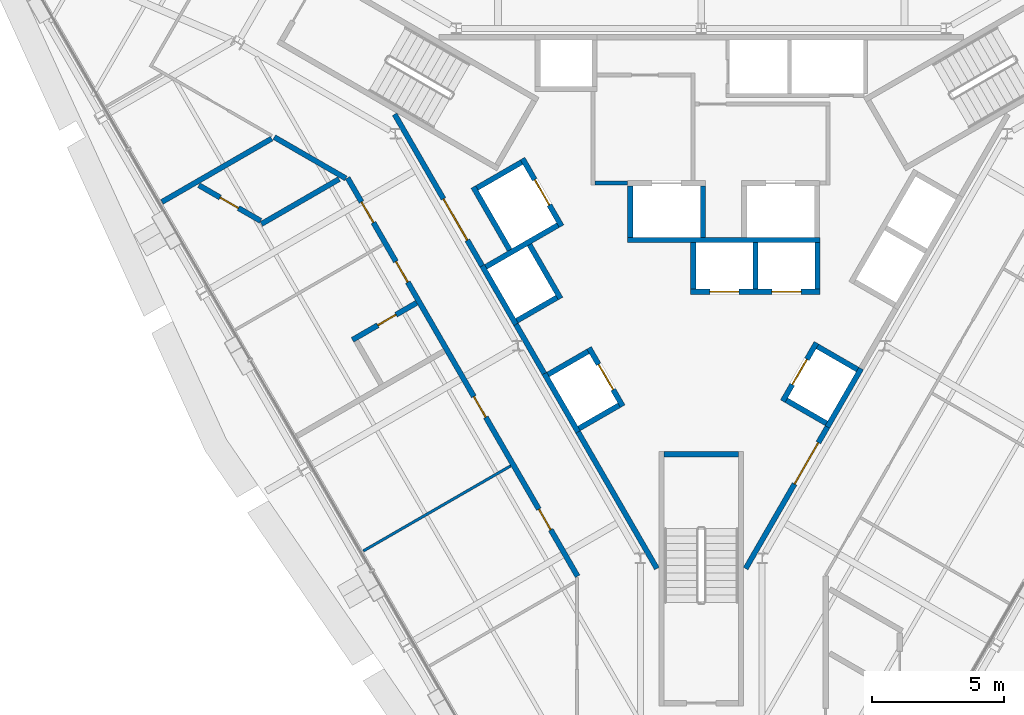
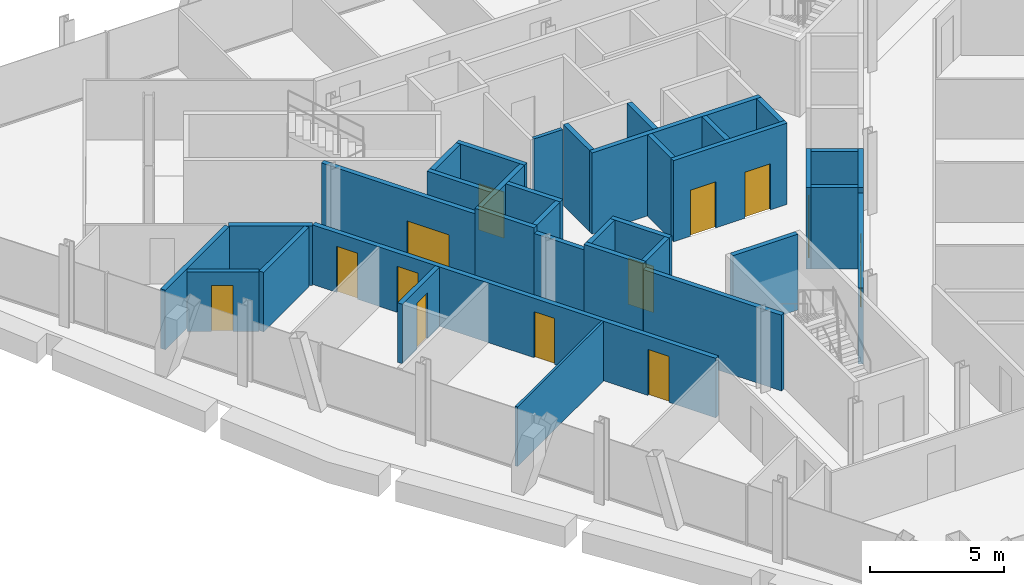
# One storey, part 8 of 13: 35 walls, 13 doors, 13 openings.
"""IFC4 building model written with IfcOpenShell, lengths in metres."""

import ifcopenshell
import ifcopenshell.guid

model = None  # the IFC model being written
_history = None  # IfcOwnerHistory: only IFC2X3 demands one
_inside = {}  # id of a spatial element -> (the spatial element, [elements in it])
_under = {}  # id of a project, library or spatial element -> (it, [spatial elements below it])
_declared = {}  # id of a project -> (the project, [libraries it declares])
_typed = {}  # id of a type object -> (the type object, [elements of that type])
_made_of = {}  # id of a material, layer set ... -> (it, [elements and type objects made of it])


def new_model(schema):
    """Start an empty IFC model of exactly this schema.

    Asked for "IFC4X3", IfcOpenShell would pick the latest addendum, in which some entities
    have other attributes; the version numbers below select the first issue.
    IFC2X3 requires an IfcOwnerHistory on every rooted entity: one is made here for all.
    """
    global model, _history
    if schema == "IFC4X3":
        model = ifcopenshell.file(schema_version=(4, 3, 0, 0))
    else:
        model = ifcopenshell.file(schema=schema)
    _inside.clear()
    _under.clear()
    _declared.clear()
    _typed.clear()
    _made_of.clear()
    _history = None
    if model.schema == "IFC2X3":
        org = make("IfcOrganization", Name="unknown")
        user = make(
            "IfcPersonAndOrganization",
            ThePerson=make("IfcPerson", FamilyName="unknown"),
            TheOrganization=org,
        )
        app = make(
            "IfcApplication",
            ApplicationDeveloper=org,
            Version="unknown",
            ApplicationFullName="unknown",
            ApplicationIdentifier="unknown",
        )
        _history = make(
            "IfcOwnerHistory",
            OwningUser=user,
            OwningApplication=app,
            ChangeAction="ADDED",
            CreationDate=0,
        )
    return model


def make(cls, **values):
    """One entity of the class cls with the attributes given. An attribute that is None is left unset."""
    return model.create_entity(
        cls, **{name: value for name, value in values.items() if value is not None}
    )


def rooted(cls, **values):
    """An entity with a GlobalId (a new one), such as an element, a storey or a relation."""
    return make(cls, GlobalId=ifcopenshell.guid.new(), OwnerHistory=_history, **values)


def si_unit(unit_type, name, prefix=None):
    """IfcSIUnit, for example si_unit("LENGTHUNIT", "METRE", prefix="MILLI")."""
    return make("IfcSIUnit", UnitType=unit_type, Prefix=prefix, Name=name)


def assignment(units):
    """IfcUnitAssignment: the units of a project."""
    return None if units is None else make("IfcUnitAssignment", Units=units)


def point(xyz):
    """IfcCartesianPoint."""
    return None if xyz is None else make("IfcCartesianPoint", Coordinates=xyz)


def direction(xyz):
    """IfcDirection."""
    return None if xyz is None else make("IfcDirection", DirectionRatios=xyz)


def frame(location, z_axis=None, x_axis=None):
    """IfcAxis2Placement3D, a coordinate frame: its origin and axes. An axis left out is left unset."""
    return make(
        "IfcAxis2Placement3D",
        Location=point(location),
        Axis=direction(z_axis),
        RefDirection=direction(x_axis),
    )


def frame_2d(location, x_axis=None):
    """IfcAxis2Placement2D, a coordinate frame in the plane: its origin and x axis."""
    return make(
        "IfcAxis2Placement2D", Location=point(location), RefDirection=direction(x_axis)
    )


def origin():
    """The frame at (0, 0, 0) with its axes left unset."""
    return frame((0.0, 0.0, 0.0))


def place(relative_to, where):
    """IfcLocalPlacement: puts the frame where relative to a parent placement (None: the world)."""
    return make(
        "IfcLocalPlacement", PlacementRelTo=relative_to, RelativePlacement=where
    )


def context(
    kind, dimensions, precision=None, world=None, true_north=None, identifier=None
):
    """IfcGeometricRepresentationContext, for example the 3D "Model" context."""
    return make(
        "IfcGeometricRepresentationContext",
        ContextIdentifier=identifier,
        ContextType=kind,
        CoordinateSpaceDimension=dimensions,
        Precision=precision,
        WorldCoordinateSystem=world,
        TrueNorth=true_north,
    )


def subcontext(parent, identifier, kind, view, scale=None):
    """IfcGeometricRepresentationSubContext, for example "Body" below "Model"."""
    return make(
        "IfcGeometricRepresentationSubContext",
        ContextIdentifier=identifier,
        ContextType=kind,
        ParentContext=parent,
        TargetScale=scale,
        TargetView=view,
    )


def project(units=None, contexts=None):
    """IfcProject with its units and contexts."""
    return rooted(
        "IfcProject",
        Name="project",
        RepresentationContexts=contexts,
        UnitsInContext=assignment(units),
    )


def spatial(cls, under=None, at=None, **own):
    """A site, building, storey or space (cls), placed at a placement, below another one or the project."""
    s = rooted(cls, ObjectPlacement=at, **own)
    if under is not None:
        _under.setdefault(under.id(), (under, []))[1].append(s)
    return s


def profile(cls, at=None, kind="AREA", **sizes):
    """A parametric profile (cls). Its sizes go by their IFC names, for example OverallWidth=200.0."""
    return make(cls, ProfileType=kind, Position=at, **sizes)


def rectangle(**sizes):
    """IfcRectangleProfileDef."""
    return profile("IfcRectangleProfileDef", **sizes)


def extrude(swept, where, along, depth):
    """IfcExtrudedAreaSolid: the profile swept, set in the frame where, extruded along a direction by depth."""
    return make(
        "IfcExtrudedAreaSolid",
        SweptArea=swept,
        Position=where,
        ExtrudedDirection=direction(along),
        Depth=depth,
    )


def shape(context_of_items, identifier, shape_type, items):
    """IfcShapeRepresentation: the items that make up one representation, for example the "Body"."""
    return make(
        "IfcShapeRepresentation",
        ContextOfItems=context_of_items,
        RepresentationIdentifier=identifier,
        RepresentationType=shape_type,
        Items=items,
    )


def material(Name=None, Category=None):
    """IfcMaterial."""
    return make("IfcMaterial", Name=Name, Category=Category)


def layer(
    of_material, thickness, ventilated=None, Name=None, Category=None, Priority=None
):
    """IfcMaterialLayer: one layer of a wall or slab, of a material (None: an air gap)."""
    return make(
        "IfcMaterialLayer",
        Material=of_material,
        LayerThickness=thickness,
        IsVentilated=ventilated,
        Name=Name,
        Category=Category,
        Priority=Priority,
    )


def layer_set(layers, Name=None):
    """IfcMaterialLayerSet."""
    return make("IfcMaterialLayerSet", MaterialLayers=layers, LayerSetName=Name)


def made_of(thing, what):
    """Note that an element or type object is made of a material, layer set ...; save() writes the relation."""
    if what is not None:
        _made_of.setdefault(what.id(), (what, []))[1].append(thing)
    return thing


def type_object(cls, material=None, **own):
    """A type object (cls), such as IfcWallType, which elements share."""
    return made_of(rooted(cls, **own), material)


def element(
    cls,
    number,
    at=None,
    inside=None,
    cuts=None,
    type_object=None,
    material=None,
    context=None,
    identifier="Body",
    shape_type=None,
    held_by="IfcProductDefinitionShape",
    body=None,
    shapes=None,
    **own,
):
    """One element of the class cls, such as IfcWall. Its Tag is "e" and its number.

    at: its placement. inside: the storey or other place that contains it. cuts: it is an
    opening in that element (IfcRelVoidsElement). A single representation is given by context,
    identifier, shape_type and body (its items); several are given by shapes. held_by: the class
    of the entity that holds the representations. save() writes the other relations.
    """
    e = rooted(cls, Tag="e%d" % number, ObjectPlacement=at, **own)
    if body is not None:
        shapes = [shape(context, identifier, shape_type, body)]
    if shapes is not None:
        e.Representation = make(held_by, Representations=shapes)
    if inside is not None:
        _inside.setdefault(inside.id(), (inside, []))[1].append(e)
    if cuts is not None:
        rooted(
            "IfcRelVoidsElement", RelatingBuildingElement=cuts, RelatedOpeningElement=e
        )
    if type_object is not None:
        _typed.setdefault(type_object.id(), (type_object, []))[1].append(e)
    return made_of(e, material)


def fill(opening, filler):
    """IfcRelFillsElement: the door or window that sits in an opening."""
    return rooted(
        "IfcRelFillsElement",
        RelatingOpeningElement=opening,
        RelatedBuildingElement=filler,
    )


def aggregate(whole, parts):
    """IfcRelAggregates: a whole, such as a stair, and the parts it consists of."""
    return rooted("IfcRelAggregates", RelatingObject=whole, RelatedObjects=parts)


def save(model, path):
    """Write the relations noted so far, then the file.

    IfcRelAggregates (storeys below a building ...), IfcRelContainedInSpatialStructure (elements
    in a storey), IfcRelDefinesByType, IfcRelAssociatesMaterial and IfcRelDeclares: one each for
    every whole, place, type object, material and project.
    """
    for whole, parts in _under.values():
        aggregate(whole, parts)
    for where, things in _inside.values():
        rooted(
            "IfcRelContainedInSpatialStructure",
            RelatedElements=things,
            RelatingStructure=where,
        )
    for kind, things in _typed.values():
        rooted("IfcRelDefinesByType", RelatedObjects=things, RelatingType=kind)
    for what, things in _made_of.values():
        rooted("IfcRelAssociatesMaterial", RelatedObjects=things, RelatingMaterial=what)
    for by, libraries in _declared.values():
        rooted("IfcRelDeclares", RelatingContext=by, RelatedDefinitions=libraries)
    model.write(path)


model = new_model("IFC4")

# Units and contexts
model_context = context("Model", 3, precision=1e-05, world=origin(), true_north=direction((0.0, 1.0)))
body_context = subcontext(model_context, "Body", "Model", "MODEL_VIEW")
ifc_project = project(units=[si_unit("LENGTHUNIT", "METRE"), si_unit("AREAUNIT", "SQUARE_METRE"), si_unit("VOLUMEUNIT", "CUBIC_METRE"), si_unit("PLANEANGLEUNIT", "RADIAN"), si_unit("MASSUNIT", "GRAM", prefix="KILO")], contexts=[model_context])

# Site, building, storey
site_placement = place(None, origin())
site = spatial("IfcSite", under=ifc_project, at=site_placement, CompositionType="ELEMENT")
building_placement = place(site_placement, origin())
building = spatial("IfcBuilding", under=site, at=building_placement, Name="Verrane Prism Tower", CompositionType="ELEMENT")
storey_placement = place(building_placement, frame((0.0, 0.0, 163.60009765625)))
storey = spatial("IfcBuildingStorey", under=building, at=storey_placement, Name="L40", CompositionType="ELEMENT", Elevation=163.60009765625)

# Wall, opening, door
ifc_material_1 = material(Name="Gypsum board partition", Category="other")
ifc_layer_1 = layer(ifc_material_1, 0.199951171875)
ifc_layer_set_1 = layer_set([ifc_layer_1], Name="CW-200 core boundary wall 2 h")
wall_type_1 = type_object("IfcWallType", Name="CW-200 core boundary wall 2 h", PredefinedType="PARTITIONING", material=ifc_layer_set_1)
wall_1_placement = place(storey_placement, frame((-11.590576171875, 4.7548828125, 0.0), z_axis=(0.0, 0.0, 1.0), x_axis=(0.500043977787, -0.866000011708, 0.0)))
wall_1 = element("IfcWall", 1, at=wall_1_placement, inside=storey, type_object=wall_type_1, Name="Core boundary wall CW3-001", PredefinedType="PARTITIONING", context=body_context, shape_type="SweptSolid", body=[
    extrude(rectangle(XDim=6.61669921875, YDim=0.199951171875, at=frame_2d((3.308349609375, 0.0))), origin(), (0.0, 0.0, 1.0), 3.449951171875),
])
opening_1_placement = place(wall_1_placement, frame((3.695068359375, 0.0, 0.0)))
opening_1 = element("IfcOpeningElement", 2, at=opening_1_placement, cuts=wall_1, Name="Opening D39510", PredefinedType="OPENING", context=body_context, shape_type="SweptSolid", body=[
    extrude(rectangle(XDim=1.800048828125, YDim=2.10009765625, at=frame_2d((0.89990234375, 1.050048828125))), frame((0.0, 0.10986328125, 0.0), z_axis=(0.0, -1.0, 0.0), x_axis=(1.0, 0.0, 0.0)), (0.0, 0.0, 1.0), 0.219970703125),
])
ifc_material_2 = material(Name="Timber veneered door leaf", Category="wood")
door_type_1 = type_object("IfcDoorType", Name="DR-1800x2100 FD60 double leaf lift lobby", OperationType="NOTDEFINED", PredefinedType="DOOR", material=ifc_material_2)
door_1_placement = place(opening_1_placement, origin())
door_1 = element("IfcDoor", 3, at=door_1_placement, inside=storey, type_object=door_type_1, Name="Lift lobby door D39510", OperationType="DOUBLE_DOOR_SINGLE_SWING", OverallHeight=2.10009765625, OverallWidth=1.800048828125, PredefinedType="DOOR", context=body_context, shape_type="SweptSolid", body=[
    extrude(rectangle(XDim=1.800048828125, YDim=2.10009765625, at=frame_2d((0.89990234375, 1.050048828125))), frame((0.0, 0.02490234375, 0.0), z_axis=(0.0, -1.0, 0.0), x_axis=(1.0, 0.0, 0.0)), (0.0, 0.0, 1.0), 0.050048828125),
])
fill(opening_1, door_1)

# Walls
wall_2_placement = place(storey_placement, frame((-7.0048828125, -3.18701171875, 0.0), z_axis=(0.0, 0.0, 1.0), x_axis=(0.499689606989, -0.866204535123, 0.0)))
element("IfcWall", 4, at=wall_2_placement, inside=storey, type_object=wall_type_1, Name="Core boundary wall CW3-003", PredefinedType="PARTITIONING", context=body_context, shape_type="SweptSolid", body=[
    extrude(rectangle(XDim=2.144775390625, YDim=0.199951171875, at=frame_2d((1.072265625, 0.0))), origin(), (0.0, 0.0, 1.0), 3.449951171875),
])
wall_3_placement = place(storey_placement, frame((-4.655029296875, -7.257080078125, 0.0), z_axis=(0.0, 0.0, 1.0), x_axis=(0.499966124405, -0.866044960985, 0.0)))
element("IfcWall", 5, at=wall_3_placement, inside=storey, type_object=wall_type_1, Name="Core boundary wall CW3-004", PredefinedType="PARTITIONING", context=body_context, shape_type="SweptSolid", body=[
    extrude(rectangle(XDim=5.95556640625, YDim=0.199951171875, at=frame_2d((2.977783203125, 0.0))), origin(), (0.0, 0.0, 1.0), 3.449951171875),
])

# Wall, opening, door
wall_4_placement = place(storey_placement, frame((1.677490234375, -12.414794921875, 0.0), z_axis=(0.0, 0.0, 1.0), x_axis=(0.500054337157, 0.865994029939, 0.0)))
wall_4 = element("IfcWall", 6, at=wall_4_placement, inside=storey, type_object=wall_type_1, Name="Core boundary wall CW3-006", PredefinedType="PARTITIONING", context=body_context, shape_type="SweptSolid", body=[
    extrude(rectangle(XDim=6.176513671875, YDim=0.199951171875, at=frame_2d((3.08837890625, 0.0))), origin(), (0.0, 0.0, 1.0), 3.449951171875),
])
opening_2_placement = place(wall_4_placement, frame((3.695068359375, 0.0, 0.0)))
opening_2 = element("IfcOpeningElement", 7, at=opening_2_placement, cuts=wall_4, Name="Opening D39515", PredefinedType="OPENING", context=body_context, shape_type="SweptSolid", body=[
    extrude(rectangle(XDim=1.800048828125, YDim=2.10009765625, at=frame_2d((0.89990234375, 1.050048828125))), frame((0.0, 0.10986328125, 0.0), z_axis=(0.0, -1.0, 0.0), x_axis=(1.0, 0.0, 0.0)), (0.0, 0.0, 1.0), 0.219970703125),
])
door_2_placement = place(opening_2_placement, origin())
door_2 = element("IfcDoor", 8, at=door_2_placement, inside=storey, type_object=door_type_1, Name="Lift lobby door D39515", OperationType="DOUBLE_DOOR_SINGLE_SWING", OverallHeight=2.10009765625, OverallWidth=1.800048828125, PredefinedType="DOOR", context=body_context, shape_type="SweptSolid", body=[
    extrude(rectangle(XDim=1.800048828125, YDim=2.10009765625, at=frame_2d((0.89990234375, 1.050048828125))), frame((0.0, 0.02490234375, 0.0), z_axis=(0.0, -1.0, 0.0), x_axis=(1.0, 0.0, 0.0)), (0.0, 0.0, 1.0), 0.050048828125),
])
fill(opening_2, door_2)

# Wall
ifc_material_3 = material(Name="Concrete C40/50", Category="concrete")
ifc_layer_2 = layer(ifc_material_3, 0.199951171875)
ifc_layer_set_2 = layer_set([ifc_layer_2], Name="CW-200 stair core wall concrete C40/50 3 h")
wall_type_2 = type_object("IfcWallType", Name="CW-200 stair core wall concrete C40/50 3 h", PredefinedType="PARTITIONING", material=ifc_layer_set_2)
wall_5_placement = place(storey_placement, frame((-1.39990234375, -8.10009765625, 0.0), z_axis=(0.0, 0.0, 1.0), x_axis=(1.0, 0.0, 0.0)))
element("IfcWall", 9, at=wall_5_placement, inside=storey, type_object=wall_type_2, Name="Stair 3 enclosure wall", PredefinedType="PARTITIONING", context=body_context, shape_type="SweptSolid", body=[
    extrude(rectangle(XDim=2.7998046875, YDim=0.199951171875, at=frame_2d((1.39990234375, 0.0))), origin(), (0.0, 0.0, 1.0), 3.449951171875),
])

# Wall, openings, doors
ifc_material_4 = material(Name="Gypsum board shaft wall assembly", Category="other")
ifc_layer_3 = layer(ifc_material_4, 0.199951171875)
ifc_layer_set_3 = layer_set([ifc_layer_3], Name="HW-200 lift shaft wall 2 h")
wall_type_3 = type_object("IfcWallType", Name="HW-200 lift shaft wall 2 h", PredefinedType="PARTITIONING", material=ifc_layer_set_3)
wall_6_placement = place(storey_placement, frame((-0.405029296875, -1.949951171875, 0.0), z_axis=(0.0, 0.0, 1.0), x_axis=(1.0, 0.0, 0.0)))
wall_6 = element("IfcWall", 10, at=wall_6_placement, inside=storey, type_object=wall_type_3, Name="Lift shaft wall", PredefinedType="PARTITIONING", context=body_context, shape_type="SweptSolid", body=[
    extrude(rectangle(XDim=4.900146484375, YDim=0.199951171875, at=frame_2d((2.4501953125, 0.0))), origin(), (0.0, 0.0, 1.0), 3.699951171875),
])
opening_3_placement = place(wall_6_placement, frame((0.72509765625, 0.0, 0.0)))
opening_3 = element("IfcOpeningElement", 11, at=opening_3_placement, cuts=wall_6, Name="Opening D39503", PredefinedType="OPENING", context=body_context, shape_type="SweptSolid", body=[
    extrude(rectangle(XDim=1.10009765625, YDim=2.10009765625, at=frame_2d((0.550048828125, 1.050048828125))), frame((0.0, 0.10986328125, 0.0), z_axis=(0.0, -1.0, 0.0), x_axis=(1.0, 0.0, 0.0)), (0.0, 0.0, 1.0), 0.219970703125),
])
opening_4_placement = place(wall_6_placement, frame((3.074951171875, 0.0, 0.0)))
opening_4 = element("IfcOpeningElement", 12, at=opening_4_placement, cuts=wall_6, Name="Opening D39504", PredefinedType="OPENING", context=body_context, shape_type="SweptSolid", body=[
    extrude(rectangle(XDim=1.10009765625, YDim=2.10009765625, at=frame_2d((0.550048828125, 1.050048828125))), frame((0.0, 0.10986328125, 0.0), z_axis=(0.0, -1.0, 0.0), x_axis=(1.0, 0.0, 0.0)), (0.0, 0.0, 1.0), 0.219970703125),
])
ifc_material_5 = material(Name="Stainless steel sliding landing door", Category="steel")
door_type_2 = type_object("IfcDoorType", Name="LD-1100x2100 lift landing door FD90 sliding", OperationType="NOTDEFINED", PredefinedType="DOOR", material=ifc_material_5)
door_3_placement = place(opening_3_placement, origin())
door_3 = element("IfcDoor", 13, at=door_3_placement, inside=storey, type_object=door_type_2, Name="Bank B lift 1 landing door", OperationType="SLIDING_TO_LEFT", OverallHeight=2.10009765625, OverallWidth=1.10009765625, PredefinedType="DOOR", context=body_context, shape_type="SweptSolid", body=[
    extrude(rectangle(XDim=1.10009765625, YDim=2.10009765625, at=frame_2d((0.550048828125, 1.050048828125))), frame((0.0, 0.02490234375, 0.0), z_axis=(0.0, -1.0, 0.0), x_axis=(1.0, 0.0, 0.0)), (0.0, 0.0, 1.0), 0.050048828125),
])
fill(opening_3, door_3)
door_4_placement = place(opening_4_placement, origin())
door_4 = element("IfcDoor", 14, at=door_4_placement, inside=storey, type_object=door_type_2, Name="Bank B lift 2 landing door", OperationType="SLIDING_TO_RIGHT", OverallHeight=2.10009765625, OverallWidth=1.10009765625, PredefinedType="DOOR", context=body_context, shape_type="SweptSolid", body=[
    extrude(rectangle(XDim=1.10009765625, YDim=2.10009765625, at=frame_2d((0.550048828125, 1.050048828125))), frame((0.0, 0.02490234375, 0.0), z_axis=(0.0, -1.0, 0.0), x_axis=(1.0, 0.0, 0.0)), (0.0, 0.0, 1.0), 0.050048828125),
])
fill(opening_4, door_4)

# Walls
wall_7_placement = place(storey_placement, frame((-2.784912109375, 0.0, 0.0), z_axis=(0.0, 0.0, 1.0), x_axis=(1.0, 0.0, 0.0)))
element("IfcWall", 15, at=wall_7_placement, inside=storey, type_object=wall_type_3, Name="Lift shaft wall", PredefinedType="PARTITIONING", context=body_context, shape_type="SweptSolid", body=[
    extrude(rectangle(XDim=7.280029296875, YDim=0.199951171875, at=frame_2d((3.64013671875, 0.0))), origin(), (0.0, 0.0, 1.0), 3.699951171875),
])
for number, where, z_axis, x_axis, name in (
    (16, (-4.61962890625, -7.118408203125, 0.0), (0.0, 0.0, 1.0), (0.866036909293, 0.499980071345, 0.0), "Lift shaft wall"),
    (17, (-5.794677734375, -5.083251953125, 0.0), (0.0, 0.0, 1.0), (0.866036909293, 0.499980071345, 0.0), "Lift shaft wall"),
    (18, (-6.9697265625, -3.048095703125, 0.0), (0.0, 0.0, 1.0), (0.866036909293, 0.499980071345, 0.0), "Lift shaft wall"),
):
    element("IfcWall", number, at=place(storey_placement, frame(where, z_axis=z_axis, x_axis=x_axis)), inside=storey, type_object=wall_type_3, Name=name, PredefinedType="PARTITIONING", context=body_context, shape_type="SweptSolid", body=[
        extrude(rectangle(XDim=1.75, YDim=0.199951171875, at=frame_2d((0.875, 0.0))), origin(), (0.0, 0.0, 1.0), 3.699951171875),
    ])
wall_8_placement = place(storey_placement, frame((-8.14453125, -1.012939453125, 0.0), z_axis=(0.0, 0.0, 1.0), x_axis=(0.866016494683, 0.500015430699, 0.0)))
element("IfcWall", 19, at=wall_8_placement, inside=storey, type_object=wall_type_3, Name="Lift shaft wall", PredefinedType="PARTITIONING", context=body_context, shape_type="SweptSolid", body=[
    extrude(rectangle(XDim=3.14990234375, YDim=0.199951171875, at=frame_2d((1.574951171875, 0.0))), origin(), (0.0, 0.0, 1.0), 3.699951171875),
])
wall_9_placement = place(storey_placement, frame((-8.48046875, 1.968505859375, 0.0), z_axis=(0.0, 0.0, 1.0), x_axis=(0.866000020948, 0.500043961785, 0.0)))
element("IfcWall", 20, at=wall_9_placement, inside=storey, type_object=wall_type_3, Name="Lift shaft wall", PredefinedType="PARTITIONING", context=body_context, shape_type="SweptSolid", body=[
    extrude(rectangle(XDim=1.949951171875, YDim=0.199951171875, at=frame_2d((0.97509765625, 0.0))), origin(), (0.0, 0.0, 1.0), 3.699951171875),
])
wall_10_placement = place(storey_placement, frame((4.766357421875, -7.064697265625, 0.0), z_axis=(0.0, 0.0, 1.0), x_axis=(0.499948979701, 0.866054858364, 0.0)))
element("IfcWall", 21, at=wall_10_placement, inside=storey, type_object=wall_type_3, Name="Lift shaft wall", PredefinedType="PARTITIONING", context=body_context, shape_type="SweptSolid", body=[
    extrude(rectangle(XDim=2.550048828125, YDim=0.199951171875, at=frame_2d((1.27490234375, 0.0))), origin(), (0.0, 0.0, 1.0), 3.699951171875),
])

# Wall, opening, door
wall_11_placement = place(storey_placement, frame((3.077392578125, -6.089599609375, 0.0), z_axis=(0.0, 0.0, 1.0), x_axis=(0.500062241894, 0.865989465428, 0.0)))
wall_11 = element("IfcWall", 22, at=wall_11_placement, inside=storey, type_object=wall_type_3, Name="Lift shaft wall", PredefinedType="PARTITIONING", context=body_context, shape_type="SweptSolid", body=[
    extrude(rectangle(XDim=2.550048828125, YDim=0.199951171875, at=frame_2d((1.27490234375, 0.0))), origin(), (0.0, 0.0, 1.0), 3.699951171875),
])
opening_5_placement = place(wall_11_placement, frame((0.72509765625, 0.0, 0.0)))
opening_5 = element("IfcOpeningElement", 23, at=opening_5_placement, cuts=wall_11, Name="Opening D39505", PredefinedType="OPENING", context=body_context, shape_type="SweptSolid", body=[
    extrude(rectangle(XDim=1.10009765625, YDim=2.10009765625, at=frame_2d((0.550048828125, 1.050048828125))), frame((0.0, 0.10986328125, 0.0), z_axis=(0.0, -1.0, 0.0), x_axis=(1.0, 0.0, 0.0)), (0.0, 0.0, 1.0), 0.219970703125),
])
door_5_placement = place(opening_5_placement, origin())
door_5 = element("IfcDoor", 24, at=door_5_placement, inside=storey, type_object=door_type_2, Name="Bank B lift 3 landing door", OperationType="SLIDING_TO_LEFT", OverallHeight=2.10009765625, OverallWidth=1.10009765625, PredefinedType="DOOR", context=body_context, shape_type="SweptSolid", body=[
    extrude(rectangle(XDim=1.10009765625, YDim=2.10009765625, at=frame_2d((0.550048828125, 1.050048828125))), frame((0.0, 0.02490234375, 0.0), z_axis=(0.0, -1.0, 0.0), x_axis=(1.0, 0.0, 0.0)), (0.0, 0.0, 1.0), 0.050048828125),
])
fill(opening_5, door_5)

# Walls
for number, where, z_axis, x_axis, name in (
    (25, (4.39501953125, -1.85009765625, 0.0), (0.0, 0.0, 1.0), (0.0, 1.0, 0.0), "Lift shaft wall"),
    (26, (2.044921875, -1.85009765625, 0.0), (0.0, 0.0, 1.0), (0.0, 1.0, 0.0), "Lift shaft wall"),
):
    element("IfcWall", number, at=place(storey_placement, frame(where, z_axis=z_axis, x_axis=x_axis)), inside=storey, type_object=wall_type_3, Name=name, PredefinedType="PARTITIONING", context=body_context, shape_type="SweptSolid", body=[
        extrude(rectangle(XDim=1.75, YDim=0.199951171875, at=frame_2d((0.875, 0.0))), origin(), (0.0, 0.0, 1.0), 3.699951171875),
    ])
wall_12_placement = place(storey_placement, frame((0.06494140625, 0.10009765625, 0.0), z_axis=(0.0, 0.0, 1.0), x_axis=(0.0, 1.0, 0.0)))
element("IfcWall", 27, at=wall_12_placement, inside=storey, type_object=wall_type_3, Name="Lift shaft wall", PredefinedType="PARTITIONING", context=body_context, shape_type="SweptSolid", body=[
    extrude(rectangle(XDim=1.949951171875, YDim=0.199951171875, at=frame_2d((0.97509765625, 0.0))), origin(), (0.0, 0.0, 1.0), 3.699951171875),
])
wall_13_placement = place(storey_placement, frame((-0.304931640625, -1.85009765625, 0.0), z_axis=(0.0, 0.0, 1.0), x_axis=(0.0, 1.0, 0.0)))
element("IfcWall", 28, at=wall_13_placement, inside=storey, type_object=wall_type_3, Name="Lift shaft wall", PredefinedType="PARTITIONING", context=body_context, shape_type="SweptSolid", body=[
    extrude(rectangle(XDim=1.75, YDim=0.199951171875, at=frame_2d((0.875, 0.0))), origin(), (0.0, 0.0, 1.0), 3.699951171875),
])
wall_14_placement = place(storey_placement, frame((-2.68505859375, 0.10009765625, 0.0), z_axis=(0.0, 0.0, 1.0), x_axis=(0.0, 1.0, 0.0)))
element("IfcWall", 29, at=wall_14_placement, inside=storey, type_object=wall_type_3, Name="Lift shaft wall", PredefinedType="PARTITIONING", context=body_context, shape_type="SweptSolid", body=[
    extrude(rectangle(XDim=1.949951171875, YDim=0.199951171875, at=frame_2d((0.97509765625, 0.0))), origin(), (0.0, 0.0, 1.0), 3.699951171875),
])

# Wall, opening, door
wall_15_placement = place(storey_placement, frame((-5.280029296875, 0.525390625, 0.0), z_axis=(0.0, 0.0, 1.0), x_axis=(-0.500037662692, 0.866003658127, 0.0)))
wall_15 = element("IfcWall", 30, at=wall_15_placement, inside=storey, type_object=wall_type_3, Name="Lift shaft wall", PredefinedType="PARTITIONING", context=body_context, shape_type="SweptSolid", body=[
    extrude(rectangle(XDim=2.949951171875, YDim=0.199951171875, at=frame_2d((1.47509765625, 0.0))), origin(), (0.0, 0.0, 1.0), 3.699951171875),
])
opening_6_placement = place(wall_15_placement, frame((0.925048828125, 0.0, 0.0)))
opening_6 = element("IfcOpeningElement", 31, at=opening_6_placement, cuts=wall_15, Name="Opening D39509", PredefinedType="OPENING", context=body_context, shape_type="SweptSolid", body=[
    extrude(rectangle(XDim=1.10009765625, YDim=2.10009765625, at=frame_2d((0.550048828125, 1.050048828125))), frame((0.0, 0.10986328125, 0.0), z_axis=(0.0, -1.0, 0.0), x_axis=(1.0, 0.0, 0.0)), (0.0, 0.0, 1.0), 0.219970703125),
])
door_6_placement = place(opening_6_placement, origin())
door_6 = element("IfcDoor", 32, at=door_6_placement, inside=storey, type_object=door_type_2, Name="Service lift 1 landing door", OperationType="SLIDING_TO_LEFT", OverallHeight=2.10009765625, OverallWidth=1.10009765625, PredefinedType="DOOR", context=body_context, shape_type="SweptSolid", body=[
    extrude(rectangle(XDim=1.10009765625, YDim=2.10009765625, at=frame_2d((0.550048828125, 1.050048828125))), frame((0.0, 0.02490234375, 0.0), z_axis=(0.0, -1.0, 0.0), x_axis=(1.0, 0.0, 0.0)), (0.0, 0.0, 1.0), 0.050048828125),
])
fill(opening_6, door_6)

wall_16_placement = place(storey_placement, frame((-2.967529296875, -6.280029296875, 0.0), z_axis=(0.0, 0.0, 1.0), x_axis=(-0.499990435942, 0.866030925526, 0.0)))
wall_16 = element("IfcWall", 33, at=wall_16_placement, inside=storey, type_object=wall_type_3, Name="Lift shaft wall", PredefinedType="PARTITIONING", context=body_context, shape_type="SweptSolid", body=[
    extrude(rectangle(XDim=2.5498046875, YDim=0.199951171875, at=frame_2d((1.27490234375, 0.0))), origin(), (0.0, 0.0, 1.0), 3.699951171875),
])
opening_7_placement = place(wall_16_placement, frame((0.72509765625, 0.0, 0.0)))
opening_7 = element("IfcOpeningElement", 34, at=opening_7_placement, cuts=wall_16, Name="Opening D39506", PredefinedType="OPENING", context=body_context, shape_type="SweptSolid", body=[
    extrude(rectangle(XDim=1.10009765625, YDim=2.10009765625, at=frame_2d((0.550048828125, 1.050048828125))), frame((0.0, 0.10986328125, 0.0), z_axis=(0.0, -1.0, 0.0), x_axis=(1.0, 0.0, 0.0)), (0.0, 0.0, 1.0), 0.219970703125),
])
door_7_placement = place(opening_7_placement, origin())
door_7 = element("IfcDoor", 35, at=door_7_placement, inside=storey, type_object=door_type_2, Name="Bank B lift 4 landing door", OperationType="SLIDING_TO_RIGHT", OverallHeight=2.10009765625, OverallWidth=1.10009765625, PredefinedType="DOOR", context=body_context, shape_type="SweptSolid", body=[
    extrude(rectangle(XDim=1.10009765625, YDim=2.10009765625, at=frame_2d((0.550048828125, 1.050048828125))), frame((0.0, 0.02490234375, 0.0), z_axis=(0.0, -1.0, 0.0), x_axis=(1.0, 0.0, 0.0)), (0.0, 0.0, 1.0), 0.050048828125),
])
fill(opening_7, door_7)

# Walls
wall_17_placement = place(storey_placement, frame((-5.317626953125, -2.209716796875, 0.0), z_axis=(0.0, 0.0, 1.0), x_axis=(-0.499938297808, 0.866061024631, 0.0)))
element("IfcWall", 36, at=wall_17_placement, inside=storey, type_object=wall_type_3, Name="Lift shaft wall", PredefinedType="PARTITIONING", context=body_context, shape_type="SweptSolid", body=[
    extrude(rectangle(XDim=2.349853515625, YDim=0.199951171875, at=frame_2d((1.1748046875, 0.0))), origin(), (0.0, 0.0, 1.0), 3.699951171875),
])
wall_18_placement = place(storey_placement, frame((-7.241943359375, -0.37646484375, 0.0), z_axis=(0.0, 0.0, 1.0), x_axis=(-0.499996545922, 0.866027397988, 0.0)))
element("IfcWall", 37, at=wall_18_placement, inside=storey, type_object=wall_type_3, Name="Lift shaft wall", PredefinedType="PARTITIONING", context=body_context, shape_type="SweptSolid", body=[
    extrude(rectangle(XDim=2.75, YDim=0.199951171875, at=frame_2d((1.375, 0.0))), origin(), (0.0, 0.0, 1.0), 3.699951171875),
])
for number, where, z_axis, x_axis, name in (
    (38, (-4.65625, -7.255126953125, 0.0), (0.0, 0.0, 1.0), (-0.499990435942, 0.866030925526, 0.0), "Lift shaft wall"),
    (39, (-7.00634765625, -3.184814453125, 0.0), (0.0, 0.0, 1.0), (-0.499990435942, 0.866030925526, 0.0), "Lift shaft wall"),
):
    element("IfcWall", number, at=place(storey_placement, frame(where, z_axis=z_axis, x_axis=x_axis)), inside=storey, type_object=wall_type_3, Name=name, PredefinedType="PARTITIONING", context=body_context, shape_type="SweptSolid", body=[
        extrude(rectangle(XDim=2.5498046875, YDim=0.199951171875, at=frame_2d((1.27490234375, 0.0))), origin(), (0.0, 0.0, 1.0), 3.699951171875),
    ])
wall_19_placement = place(storey_placement, frame((5.904541015625, -4.892822265625, 0.0), z_axis=(0.0, 0.0, 1.0), x_axis=(-0.866002029911, 0.500040482552, 0.0)))
element("IfcWall", 40, at=wall_19_placement, inside=storey, type_object=wall_type_3, Name="Lift shaft wall", PredefinedType="PARTITIONING", context=body_context, shape_type="SweptSolid", body=[
    extrude(rectangle(XDim=1.749755859375, YDim=0.199951171875, at=frame_2d((0.875, 0.0))), origin(), (0.0, 0.0, 1.0), 3.699951171875),
])
wall_20_placement = place(storey_placement, frame((4.729736328125, -6.927978515625, 0.0), z_axis=(0.0, 0.0, 1.0), x_axis=(-0.866036909293, 0.499980071345, 0.0)))
element("IfcWall", 41, at=wall_20_placement, inside=storey, type_object=wall_type_3, Name="Lift shaft wall", PredefinedType="PARTITIONING", context=body_context, shape_type="SweptSolid", body=[
    extrude(rectangle(XDim=1.75, YDim=0.199951171875, at=frame_2d((0.875, 0.0))), origin(), (0.0, 0.0, 1.0), 3.699951171875),
])
ifc_material_6 = material(Name="Gypsum board partition", Category="other")
ifc_layer_4 = layer(ifc_material_6, 0.14990234375)
ifc_layer_set_4 = layer_set([ifc_layer_4], Name="LF-150 firefighting lobby wall 1 h")
wall_type_4 = type_object("IfcWallType", Name="LF-150 firefighting lobby wall 1 h", PredefinedType="PARTITIONING", material=ifc_layer_set_4)
wall_21_placement = place(storey_placement, frame((-4.02490234375, 2.159912109375, 0.0), z_axis=(0.0, 0.0, 1.0), x_axis=(1.0, 0.0, 0.0)))
element("IfcWall", 42, at=wall_21_placement, inside=storey, type_object=wall_type_4, Name="Firefighting lobby wall LF1-002", PredefinedType="PARTITIONING", context=body_context, shape_type="SweptSolid", body=[
    extrude(rectangle(XDim=1.23779296875, YDim=0.14990234375, at=frame_2d((0.618896484375, 0.0))), origin(), (0.0, 0.0, 1.0), 3.449951171875),
])
ifc_material_7 = material(Name="Gypsum board partition", Category="other")
ifc_layer_5 = layer(ifc_material_7, 0.10009765625)
ifc_layer_set_5 = layer_set([ifc_layer_5], Name="PW-100 room partition")
wall_type_5 = type_object("IfcWallType", Name="PW-100 room partition", PredefinedType="PARTITIONING", material=ifc_layer_set_5)
wall_22_placement = place(storey_placement, frame((-12.771728515625, -11.7490234375, 0.0), z_axis=(0.0, 0.0, 1.0), x_axis=(0.866026229868, 0.499998569178, 0.0)))
element("IfcWall", 43, at=wall_22_placement, inside=storey, type_object=wall_type_5, Name="Room partition 014", PredefinedType="PARTITIONING", context=body_context, shape_type="SweptSolid", body=[
    extrude(rectangle(XDim=6.42919921875, YDim=0.10009765625, at=frame_2d((3.214599609375, 0.0))), origin(), (0.0, 0.0, 1.0), 2.712890625),
])
ifc_material_8 = material(Name="Gypsum board partition", Category="other")
ifc_layer_6 = layer(ifc_material_8, 0.199951171875)
ifc_layer_set_6 = layer_set([ifc_layer_6], Name="PW-200 plumbing wall")
wall_type_6 = type_object("IfcWallType", Name="PW-200 plumbing wall", PredefinedType="PARTITIONING", material=ifc_layer_set_6)
wall_23_placement = place(storey_placement, frame((-20.385498046875, 1.439208984375, 0.0), z_axis=(0.0, 0.0, 1.0), x_axis=(0.86607354268, 0.499916611716, 0.0)))
element("IfcWall", 44, at=wall_23_placement, inside=storey, type_object=wall_type_6, Name="Plumbing wall 004", PredefinedType="PARTITIONING", context=body_context, shape_type="SweptSolid", body=[
    extrude(rectangle(XDim=4.789306640625, YDim=0.199951171875, at=frame_2d((2.39453125, 0.0))), origin(), (0.0, 0.0, 1.0), 2.712890625),
])

# Wall, opening, door
wall_24_placement = place(storey_placement, frame((-18.988037109375, 2.072509765625, 0.0), z_axis=(0.0, 0.0, 1.0), x_axis=(0.866031650062, -0.499989180974, 0.0)))
wall_24 = element("IfcWall", 45, at=wall_24_placement, inside=storey, type_object=wall_type_6, Name="Plumbing wall 005", PredefinedType="PARTITIONING", context=body_context, shape_type="SweptSolid", body=[
    extrude(rectangle(XDim=2.69384765625, YDim=0.199951171875, at=frame_2d((1.346923828125, 0.0))), origin(), (0.0, 0.0, 1.0), 2.712890625),
])
opening_8_placement = place(wall_24_placement, frame((0.9267578125, 0.0, 0.0)))
opening_8 = element("IfcOpeningElement", 46, at=opening_8_placement, cuts=wall_24, Name="Opening D39019", PredefinedType="OPENING", context=body_context, shape_type="SweptSolid", body=[
    extrude(rectangle(XDim=0.800048828125, YDim=2.10009765625, at=frame_2d((0.39990234375, 1.050048828125))), frame((0.0, 0.10986328125, 0.0), z_axis=(0.0, -1.0, 0.0), x_axis=(1.0, 0.0, 0.0)), (0.0, 0.0, 1.0), 0.219970703125),
])
ifc_material_9 = material(Name="Timber veneered door leaf", Category="wood")
door_type_3 = type_object("IfcDoorType", Name="DR-800x2100 single leaf bath", OperationType="NOTDEFINED", PredefinedType="DOOR", material=ifc_material_9)
door_8_placement = place(opening_8_placement, origin())
door_8 = element("IfcDoor", 47, at=door_8_placement, inside=storey, type_object=door_type_3, Name="Master Bathroom door", OperationType="SINGLE_SWING_LEFT", OverallHeight=2.10009765625, OverallWidth=0.800048828125, PredefinedType="DOOR", context=body_context, shape_type="SweptSolid", body=[
    extrude(rectangle(XDim=0.800048828125, YDim=2.10009765625, at=frame_2d((0.39990234375, 1.050048828125))), frame((0.0, 0.02490234375, 0.0), z_axis=(0.0, -1.0, 0.0), x_axis=(1.0, 0.0, 0.0)), (0.0, 0.0, 1.0), 0.050048828125),
])
fill(opening_8, door_8)

# Walls
wall_25_placement = place(storey_placement, frame((-16.62451171875, 0.60791015625, 0.0), z_axis=(0.0, 0.0, 1.0), x_axis=(0.866005731893, 0.500034071167, 0.0)))
element("IfcWall", 48, at=wall_25_placement, inside=storey, type_object=wall_type_6, Name="Plumbing wall 007", PredefinedType="PARTITIONING", context=body_context, shape_type="SweptSolid", body=[
    extrude(rectangle(XDim=3.390869140625, YDim=0.199951171875, at=frame_2d((1.6953125, 0.0))), origin(), (0.0, 0.0, 1.0), 2.712890625),
])
wall_26_placement = place(storey_placement, frame((-16.137939453125, 3.89111328125, 0.0), z_axis=(0.0, 0.0, 1.0), x_axis=(0.866117881966, -0.49983978887, 0.0)))
element("IfcWall", 49, at=wall_26_placement, inside=storey, type_object=wall_type_6, Name="Plumbing wall 008", PredefinedType="PARTITIONING", context=body_context, shape_type="SweptSolid", body=[
    extrude(rectangle(XDim=3.1220703125, YDim=0.199951171875, at=frame_2d((1.56103515625, 0.0))), origin(), (0.0, 0.0, 1.0), 2.712890625),
])

# Wall, openings, doors
wall_27_placement = place(storey_placement, frame((-4.675048828125, -12.706298828125, 0.0), z_axis=(0.0, 0.0, 1.0), x_axis=(-0.499972470324, 0.866041297467, 0.0)))
wall_27 = element("IfcWall", 50, at=wall_27_placement, inside=storey, type_object=wall_type_6, Name="Plumbing wall 011", PredefinedType="PARTITIONING", context=body_context, shape_type="SweptSolid", body=[
    extrude(rectangle(XDim=17.384765625, YDim=0.199951171875, at=frame_2d((8.6923828125, 0.0))), origin(), (0.0, 0.0, 1.0), 2.712890625),
])
opening_9_placement = place(wall_27_placement, frame((15.434814453125, 0.0, 0.0)))
opening_9 = element("IfcOpeningElement", 51, at=opening_9_placement, cuts=wall_27, Name="Opening D39018", PredefinedType="OPENING", context=body_context, shape_type="SweptSolid", body=[
    extrude(rectangle(XDim=0.89990234375, YDim=2.10009765625, at=frame_2d((0.449951171875, 1.050048828125))), frame((0.0, 0.10986328125, 0.0), z_axis=(0.0, -1.0, 0.0), x_axis=(1.0, 0.0, 0.0)), (0.0, 0.0, 1.0), 0.219970703125),
])
opening_10_placement = place(wall_27_placement, frame((12.834716796875, 0.0, 0.0)))
opening_10 = element("IfcOpeningElement", 52, at=opening_10_placement, cuts=wall_27, Name="Opening D39020", PredefinedType="OPENING", context=body_context, shape_type="SweptSolid", body=[
    extrude(rectangle(XDim=0.89990234375, YDim=2.10009765625, at=frame_2d((0.449951171875, 1.050048828125))), frame((0.0, 0.10986328125, 0.0), z_axis=(0.0, -1.0, 0.0), x_axis=(1.0, 0.0, 0.0)), (0.0, 0.0, 1.0), 0.219970703125),
])
opening_11_placement = place(wall_27_placement, frame((6.940673828125, 0.0, 0.0)))
opening_11 = element("IfcOpeningElement", 53, at=opening_11_placement, cuts=wall_27, Name="Opening D39022", PredefinedType="OPENING", context=body_context, shape_type="SweptSolid", body=[
    extrude(rectangle(XDim=0.89990234375, YDim=2.10009765625, at=frame_2d((0.449951171875, 1.050048828125))), frame((0.0, 0.10986328125, 0.0), z_axis=(0.0, -1.0, 0.0), x_axis=(1.0, 0.0, 0.0)), (0.0, 0.0, 1.0), 0.219970703125),
])
opening_12_placement = place(wall_27_placement, frame((2.02783203125, 0.0, 0.0)))
opening_12 = element("IfcOpeningElement", 54, at=opening_12_placement, cuts=wall_27, Name="Opening D39023", PredefinedType="OPENING", context=body_context, shape_type="SweptSolid", body=[
    extrude(rectangle(XDim=0.89990234375, YDim=2.10009765625, at=frame_2d((0.449951171875, 1.050048828125))), frame((0.0, 0.10986328125, 0.0), z_axis=(0.0, -1.0, 0.0), x_axis=(1.0, 0.0, 0.0)), (0.0, 0.0, 1.0), 0.219970703125),
])
ifc_material_10 = material(Name="Timber veneered door leaf", Category="wood")
door_type_4 = type_object("IfcDoorType", Name="DR-900x2100 single leaf inner", OperationType="NOTDEFINED", PredefinedType="DOOR", material=ifc_material_10)
door_9_placement = place(opening_9_placement, origin())
door_9 = element("IfcDoor", 55, at=door_9_placement, inside=storey, type_object=door_type_4, Name="Master Bedroom door", OperationType="SINGLE_SWING_LEFT", OverallHeight=2.10009765625, OverallWidth=0.89990234375, PredefinedType="DOOR", context=body_context, shape_type="SweptSolid", body=[
    extrude(rectangle(XDim=0.89990234375, YDim=2.10009765625, at=frame_2d((0.449951171875, 1.050048828125))), frame((0.0, 0.02490234375, 0.0), z_axis=(0.0, -1.0, 0.0), x_axis=(1.0, 0.0, 0.0)), (0.0, 0.0, 1.0), 0.050048828125),
])
fill(opening_9, door_9)
door_10_placement = place(opening_10_placement, origin())
door_10 = element("IfcDoor", 56, at=door_10_placement, inside=storey, type_object=door_type_4, Name="Bedroom door", OperationType="SINGLE_SWING_LEFT", OverallHeight=2.10009765625, OverallWidth=0.89990234375, PredefinedType="DOOR", context=body_context, shape_type="SweptSolid", body=[
    extrude(rectangle(XDim=0.89990234375, YDim=2.10009765625, at=frame_2d((0.449951171875, 1.050048828125))), frame((0.0, 0.02490234375, 0.0), z_axis=(0.0, -1.0, 0.0), x_axis=(1.0, 0.0, 0.0)), (0.0, 0.0, 1.0), 0.050048828125),
])
fill(opening_10, door_10)
ifc_material_11 = material(Name="Timber veneered door leaf", Category="wood")
door_type_5 = type_object("IfcDoorType", Name="DR-900x2100 single leaf unit", OperationType="NOTDEFINED", PredefinedType="DOOR", material=ifc_material_11)
door_11_placement = place(opening_11_placement, origin())
door_11 = element("IfcDoor", 57, at=door_11_placement, inside=storey, type_object=door_type_5, Name="Study door", OperationType="SINGLE_SWING_LEFT", OverallHeight=2.10009765625, OverallWidth=0.89990234375, PredefinedType="DOOR", context=body_context, shape_type="SweptSolid", body=[
    extrude(rectangle(XDim=0.89990234375, YDim=2.10009765625, at=frame_2d((0.449951171875, 1.050048828125))), frame((0.0, 0.02490234375, 0.0), z_axis=(0.0, -1.0, 0.0), x_axis=(1.0, 0.0, 0.0)), (0.0, 0.0, 1.0), 0.050048828125),
])
fill(opening_11, door_11)
door_12_placement = place(opening_12_placement, origin())
door_12 = element("IfcDoor", 58, at=door_12_placement, inside=storey, type_object=door_type_5, Name="Study door", OperationType="SINGLE_SWING_RIGHT", OverallHeight=2.10009765625, OverallWidth=0.89990234375, PredefinedType="DOOR", context=body_context, shape_type="SweptSolid", body=[
    extrude(rectangle(XDim=0.89990234375, YDim=2.10009765625, at=frame_2d((0.449951171875, 1.050048828125))), frame((0.0, 0.02490234375, 0.0), z_axis=(0.0, -1.0, 0.0), x_axis=(1.0, 0.0, 0.0)), (0.0, 0.0, 1.0), 0.050048828125),
])
fill(opening_12, door_12)

# Wall, opening, door
wall_28_placement = place(storey_placement, frame((-10.760986328125, -2.37353515625, 0.0), z_axis=(0.0, 0.0, 1.0), x_axis=(-0.866041588165, -0.499971966783, 0.0)))
wall_28 = element("IfcWall", 59, at=wall_28_placement, inside=storey, type_object=wall_type_6, Name="Plumbing wall 013", PredefinedType="PARTITIONING", context=body_context, shape_type="SweptSolid", body=[
    extrude(rectangle(XDim=2.795166015625, YDim=0.199951171875, at=frame_2d((1.3974609375, 0.0))), origin(), (0.0, 0.0, 1.0), 2.712890625),
])
opening_13_placement = place(wall_28_placement, frame((0.89501953125, 0.0, 0.0)))
opening_13 = element("IfcOpeningElement", 60, at=opening_13_placement, cuts=wall_28, Name="Opening D39021", PredefinedType="OPENING", context=body_context, shape_type="SweptSolid", body=[
    extrude(rectangle(XDim=0.800048828125, YDim=2.10009765625, at=frame_2d((0.39990234375, 1.050048828125))), frame((0.0, 0.10986328125, 0.0), z_axis=(0.0, -1.0, 0.0), x_axis=(1.0, 0.0, 0.0)), (0.0, 0.0, 1.0), 0.219970703125),
])
door_13_placement = place(opening_13_placement, origin())
door_13 = element("IfcDoor", 61, at=door_13_placement, inside=storey, type_object=door_type_3, Name="Bathroom door", OperationType="SINGLE_SWING_RIGHT", OverallHeight=2.10009765625, OverallWidth=0.800048828125, PredefinedType="DOOR", context=body_context, shape_type="SweptSolid", body=[
    extrude(rectangle(XDim=0.800048828125, YDim=2.10009765625, at=frame_2d((0.39990234375, 1.050048828125))), frame((0.0, 0.02490234375, 0.0), z_axis=(0.0, -1.0, 0.0), x_axis=(1.0, 0.0, 0.0)), (0.0, 0.0, 1.0), 0.050048828125),
])
fill(opening_13, door_13)

save(model, "model.ifc")
